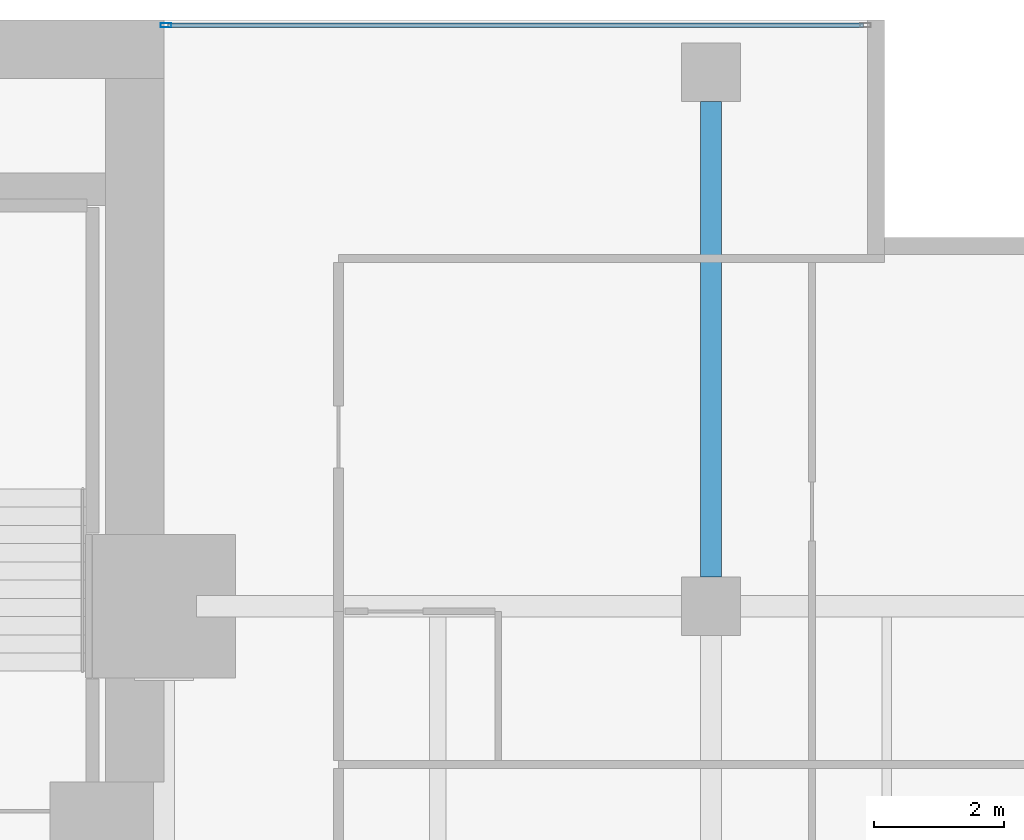
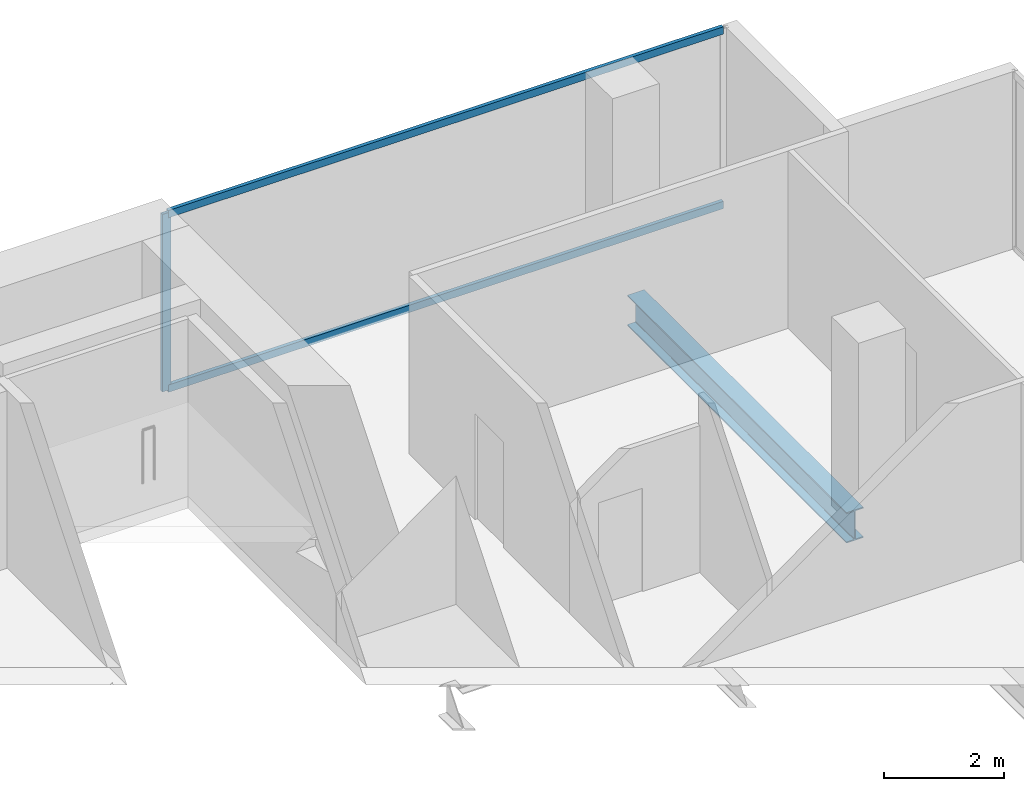
# One storey, part 30 of 40: 3 members, 1 beam, 1 element without a shape of its own.
"""IFC4 building model written with IfcOpenShell, lengths in metres."""

from ifc_helpers import new_model, si_unit, direction, frame, origin, origin_2d, place, context, subcontext, project, spatial, hollow_rectangle, i_section, extrude, material, layer, layer_set, material_profile, profile_set, type_object, element, aggregate, save


model = new_model("IFC4")

# Units and contexts
model_context = context("Model", 3, precision=1e-05, world=origin(), true_north=direction((0.0, 1.0)))
body_context = subcontext(model_context, "Body", "Model", "MODEL_VIEW")
ifc_project = project(units=[si_unit("LENGTHUNIT", "METRE"), si_unit("AREAUNIT", "SQUARE_METRE"), si_unit("VOLUMEUNIT", "CUBIC_METRE"), si_unit("PLANEANGLEUNIT", "RADIAN"), si_unit("MASSUNIT", "GRAM", prefix="KILO")], contexts=[model_context])

# Site, building, storey
site_placement = place(None, origin())
site = spatial("IfcSite", under=ifc_project, at=site_placement, CompositionType="ELEMENT")
building_placement = place(site_placement, origin())
building = spatial("IfcBuilding", under=site, at=building_placement, Name="Maruvema Waterfront Hotel and Observation Tower", CompositionType="ELEMENT")
storey_placement = place(building_placement, frame((0.0, 0.0, 57.75)))
storey = spatial("IfcBuildingStorey", under=building, at=storey_placement, Name="L13", CompositionType="ELEMENT", Elevation=57.75)

# Curtain wall, members
ifc_material_1 = material(Name="Anodised bronze aluminium and solar-control low-E IGU", Category="aluminium")
ifc_layer = layer(ifc_material_1, 0.159912109375, Name="Zone 1 Bronze Inner Thermal Curtain Wall System CW-02")
ifc_layer_set = layer_set([ifc_layer], Name="Anodised bronze aluminium and solar-control low-E IGU")
curtain_wall_type = type_object("IfcCurtainWallType", Name="Zone 1 Bronze Inner Thermal Curtain Wall System CW-02", PredefinedType="USERDEFINED", material=ifc_layer_set)
curtain_wall_placement = place(storey_placement, origin())
curtain_wall = element("IfcCurtainWall", 1, at=curtain_wall_placement, inside=storey, type_object=curtain_wall_type, Name="L13 Curtain Wall CW-L13-NE", ObjectType="UNITISED CURTAIN WALL", PredefinedType="USERDEFINED")
ifc_material_2 = material(Name="Anodised architectural bronze aluminium", Category="aluminium")
ifc_material_profile_1 = material_profile(ifc_material_2, hollow_rectangle(XDim=0.070068359375, YDim=0.14990234375, WallThickness=0.00390625, at=origin_2d()), Name="ALU-T70x150")
ifc_profile_set_1 = profile_set([ifc_material_profile_1], Name="Anodised architectural bronze aluminium")
member_type_1 = type_object("IfcMemberType", Name="Curtain Wall Horizontal Transom ALU-T70x150", PredefinedType="USERDEFINED", material=ifc_profile_set_1)
member_1_placement = place(storey_placement, frame((61.139892578125, 53.919921875, 0.030029296875), z_axis=(-1.0, 0.0, 0.0), x_axis=(0.0, -1.0, 0.0)))
member_1 = element("IfcMember", 2, at=member_1_placement, type_object=member_type_1, Name="CW-02 transom 1.1", ObjectType="TRANSOM", PredefinedType="USERDEFINED", context=body_context, shape_type="SweptSolid", body=[
    extrude(hollow_rectangle(XDim=0.070068359375, YDim=0.14990234375, WallThickness=0.00390625, at=origin_2d()), origin(), (0.0, 0.0, 1.0), 10.679931640625),
])
member_2_placement = place(storey_placement, frame((61.139892578125, 53.919921875, 3.580078125), z_axis=(-1.0, 0.0, 0.0), x_axis=(0.0, -1.0, 0.0)))
member_2 = element("IfcMember", 3, at=member_2_placement, type_object=member_type_1, Name="CW-02 transom 1.2", ObjectType="TRANSOM", PredefinedType="USERDEFINED", context=body_context, shape_type="SweptSolid", body=[
    extrude(hollow_rectangle(XDim=0.070068359375, YDim=0.14990234375, WallThickness=0.00390625, at=origin_2d()), origin(), (0.0, 0.0, 1.0), 10.679931640625),
])
ifc_material_3 = material(Name="Anodised architectural bronze aluminium", Category="aluminium")
ifc_material_profile_2 = material_profile(ifc_material_3, hollow_rectangle(XDim=0.06494140625, YDim=0.1650390625, WallThickness=0.00390625, at=origin_2d()), Name="ALU-M65x165")
ifc_profile_set_2 = profile_set([ifc_material_profile_2], Name="Anodised architectural bronze aluminium")
member_type_2 = type_object("IfcMemberType", Name="Curtain Wall Primary Mullion ALU-M65x165", PredefinedType="MULLION", material=ifc_profile_set_2)
member_3_placement = place(storey_placement, frame((50.429931640625, 53.919921875, 0.0), z_axis=(0.0, 0.0, 1.0), x_axis=(0.0, -1.0, 0.0)))
member_3 = element("IfcMember", 4, at=member_3_placement, type_object=member_type_2, Name="CW-02 mullion 2", PredefinedType="MULLION", context=body_context, shape_type="SweptSolid", body=[
    extrude(hollow_rectangle(XDim=0.06494140625, YDim=0.1650390625, WallThickness=0.00390625, at=origin_2d()), origin(), (0.0, 0.0, 1.0), 3.610107421875),
])
aggregate(curtain_wall, [member_3, member_1, member_2])

# Beam
ifc_material_4 = material(Name="Steel ASTM A572 Grade 50", Category="steel")
ifc_material_profile_3 = material_profile(ifc_material_4, i_section(OverallWidth=0.326904296875, OverallDepth=0.6220703125, WebThickness=0.015380859375, FlangeThickness=0.0244140625, FilletRadius=0.01806640625, at=origin_2d()), Name="W610x195.0")
ifc_profile_set_3 = profile_set([ifc_material_profile_3], Name="Steel ASTM A572 Grade 50")
beam_type = type_object("IfcBeamType", Name="Primary Floor Girder W610x195.0", PredefinedType="BEAM", material=ifc_profile_set_3)
beam_placement = place(storey_placement, frame((58.800048828125, 45.449951171875, -0.551025390625), z_axis=(0.0, 1.0, 0.0), x_axis=(-1.0, 0.0, 0.0)))
element("IfcBeam", 5, at=beam_placement, inside=storey, type_object=beam_type, Name="L13 Floor Girder NS-32", PredefinedType="BEAM", context=body_context, shape_type="SweptSolid", body=[
    extrude(i_section(OverallWidth=0.326904296875, OverallDepth=0.6220703125, WebThickness=0.015380859375, FlangeThickness=0.0244140625, FilletRadius=0.01806640625, at=origin_2d()), origin(), (0.0, 0.0, 1.0), 7.300048828125),
])

save(model, "model.ifc")
